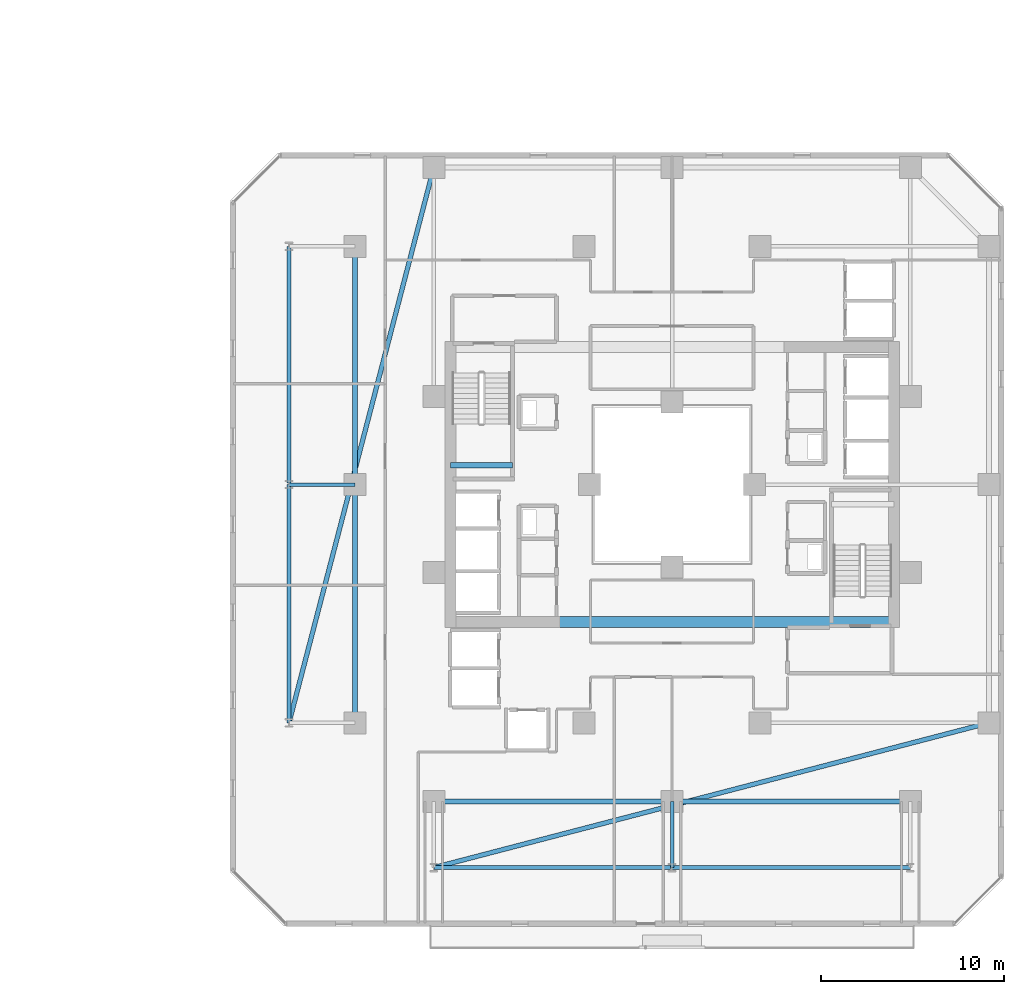
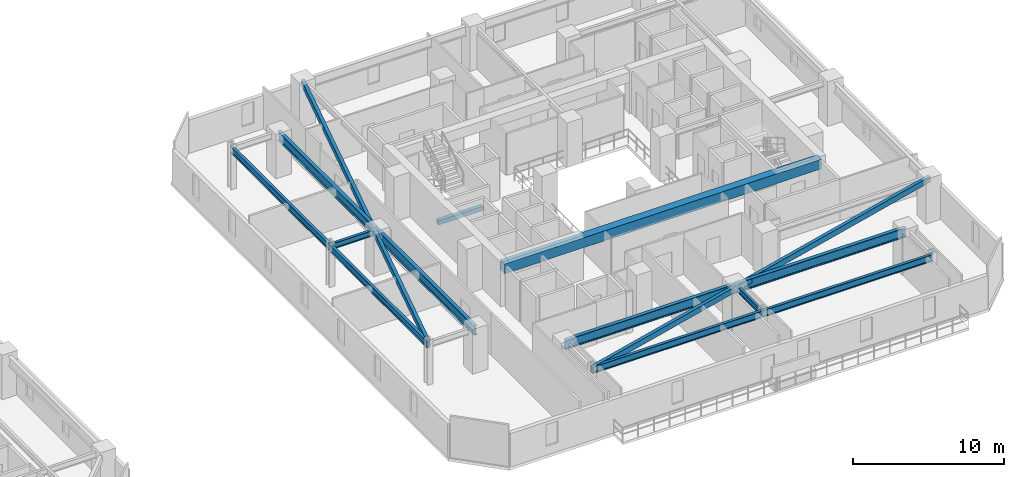
# One storey, part 12 of 33: 14 beams.
"""IFC4 building model written with IfcOpenShell, lengths in metres."""

from ifc_helpers import new_model, si_unit, direction, frame, origin, origin_2d, place, context, subcontext, project, spatial, rectangle, hollow_rectangle, i_section, extrude, material, material_profile, profile_set, type_object, element, save


model = new_model("IFC4")

# Units and contexts
model_context = context("Model", 3, precision=1e-05, world=origin(), true_north=direction((0.0, 1.0)))
body_context = subcontext(model_context, "Body", "Model", "MODEL_VIEW")
ifc_project = project(units=[si_unit("LENGTHUNIT", "METRE"), si_unit("AREAUNIT", "SQUARE_METRE"), si_unit("VOLUMEUNIT", "CUBIC_METRE"), si_unit("PLANEANGLEUNIT", "RADIAN"), si_unit("MASSUNIT", "GRAM", prefix="KILO")], contexts=[model_context])

# Site, building, storey
site_placement = place(None, origin())
site = spatial("IfcSite", under=ifc_project, at=site_placement, CompositionType="ELEMENT")
building_placement = place(site_placement, origin())
building = spatial("IfcBuilding", under=site, at=building_placement, Name="Thornwick Lancets Civic Towers", CompositionType="ELEMENT")
storey_placement = place(building_placement, frame((0.0, 0.0, 112.5)))
storey = spatial("IfcBuildingStorey", under=building, at=storey_placement, Name="L29", CompositionType="ELEMENT", Elevation=112.5)

# Beams
ifc_material_1 = material(Name="Concrete C60/75", Category="concrete")
ifc_material_profile_1 = material_profile(ifc_material_1, rectangle(XDim=0.60009765625, YDim=0.800048828125, at=origin_2d()), Name="RC 600x800")
ifc_profile_set_1 = profile_set([ifc_material_profile_1], Name="Concrete C60/75")
beam_type_1 = type_object("IfcBeamType", Name="BM_COUP_RC800", PredefinedType="BEAM", material=ifc_profile_set_1)
beam_1_placement = place(storey_placement, frame((76.39990234375, 19.5, 2.9599609375), z_axis=(1.0, 0.0, 0.0), x_axis=(0.0, 1.0, 0.0)))
element("IfcBeam", 1, at=beam_1_placement, inside=storey, type_object=beam_type_1, Name="CB-L29-B2", PredefinedType="BEAM", context=body_context, shape_type="SweptSolid", body=[
    extrude(rectangle(XDim=0.60009765625, YDim=0.800048828125, at=origin_2d()), origin(), (0.0, 0.0, 1.0), 24.2001953125),
])
ifc_material_2 = material(Name="Steel S355JR", Category="steel")
ifc_material_profile_2 = material_profile(ifc_material_2, i_section(OverallWidth=0.2119140625, OverallDepth=0.54443359375, WebThickness=0.0126953125, FlangeThickness=0.021240234375, FilletRadius=0.0126953125, at=origin_2d()), Name="UKB 533x210x122")
ifc_profile_set_2 = profile_set([ifc_material_profile_2], Name="Steel S355JR")
beam_type_2 = type_object("IfcBeamType", Name="BM_EDGE_533_122", PredefinedType="SPANDREL", material=ifc_profile_set_2)
beam_2_placement = place(storey_placement, frame((67.60009765625, 14.0, 3.087646484375), z_axis=(0.0, 1.0, 0.0), x_axis=(-1.0, 0.0, 0.0)))
element("IfcBeam", 2, at=beam_2_placement, inside=storey, type_object=beam_type_2, Name="BM-EDGE-L29-B-S2-1", PredefinedType="SPANDREL", context=body_context, shape_type="SweptSolid", body=[
    extrude(i_section(OverallWidth=0.2119140625, OverallDepth=0.54443359375, WebThickness=0.0126953125, FlangeThickness=0.021240234375, FilletRadius=0.0126953125, at=origin_2d()), origin(), (0.0, 0.0, 1.0), 13.0),
])
beam_3_placement = place(storey_placement, frame((67.60009765625, 27.080078125, 3.087646484375), z_axis=(0.0, 1.0, 0.0), x_axis=(-1.0, 0.0, 0.0)))
element("IfcBeam", 3, at=beam_3_placement, inside=storey, type_object=beam_type_2, Name="BM-EDGE-L29-B-S2-2", PredefinedType="SPANDREL", context=body_context, shape_type="SweptSolid", body=[
    extrude(i_section(OverallWidth=0.2119140625, OverallDepth=0.54443359375, WebThickness=0.0126953125, FlangeThickness=0.021240234375, FilletRadius=0.0126953125, at=origin_2d()), origin(), (0.0, 0.0, 1.0), 12.919921875),
])
beam_4_placement = place(storey_placement, frame((101.5, 6.10009765625, 3.087646484375), z_axis=(-1.0, 0.0, 0.0), x_axis=(0.0, -1.0, 0.0)))
element("IfcBeam", 4, at=beam_4_placement, inside=storey, type_object=beam_type_2, Name="BM-EDGE-L29-B-S3-1", PredefinedType="SPANDREL", context=body_context, shape_type="SweptSolid", body=[
    extrude(i_section(OverallWidth=0.2119140625, OverallDepth=0.54443359375, WebThickness=0.0126953125, FlangeThickness=0.021240234375, FilletRadius=0.0126953125, at=origin_2d()), origin(), (0.0, 0.0, 1.0), 13.0),
])
beam_5_placement = place(storey_placement, frame((88.419921875, 6.10009765625, 3.087646484375), z_axis=(-1.0, 0.0, 0.0), x_axis=(0.0, -1.0, 0.0)))
element("IfcBeam", 5, at=beam_5_placement, inside=storey, type_object=beam_type_2, Name="BM-EDGE-L29-B-S3-2", PredefinedType="SPANDREL", context=body_context, shape_type="SweptSolid", body=[
    extrude(i_section(OverallWidth=0.2119140625, OverallDepth=0.54443359375, WebThickness=0.0126953125, FlangeThickness=0.021240234375, FilletRadius=0.0126953125, at=origin_2d()), origin(), (0.0, 0.0, 1.0), 12.919921875),
])
ifc_material_profile_3 = material_profile(ifc_material_2, i_section(OverallWidth=0.26806640625, OverallDepth=0.769775390625, WebThickness=0.015625, FlangeThickness=0.025390625, FilletRadius=0.0166015625, at=origin_2d()), Name="UKB 762x267x197")
ifc_profile_set_3 = profile_set([ifc_material_profile_3], Name="Steel S355JR")
beam_type_3 = type_object("IfcBeamType", Name="BM_GIRD_762_197", PredefinedType="BEAM", material=ifc_profile_set_3)
beam_6_placement = place(storey_placement, frame((71.199951171875, 14.0, 2.97509765625), z_axis=(0.0, 1.0, 0.0), x_axis=(-1.0, 0.0, 0.0)))
element("IfcBeam", 6, at=beam_6_placement, inside=storey, type_object=beam_type_3, Name="BM-SPINE-L29-B-6-7", PredefinedType="BEAM", context=body_context, shape_type="SweptSolid", body=[
    extrude(i_section(OverallWidth=0.26806640625, OverallDepth=0.769775390625, WebThickness=0.015625, FlangeThickness=0.025390625, FilletRadius=0.0166015625, at=origin_2d()), origin(), (0.0, 0.0, 1.0), 13.0),
])
beam_7_placement = place(storey_placement, frame((71.199951171875, 27.080078125, 2.97509765625), z_axis=(0.0, 1.0, 0.0), x_axis=(-1.0, 0.0, 0.0)))
element("IfcBeam", 7, at=beam_7_placement, inside=storey, type_object=beam_type_3, Name="BM-SPINE-L29-B-7-8", PredefinedType="BEAM", context=body_context, shape_type="SweptSolid", body=[
    extrude(i_section(OverallWidth=0.26806640625, OverallDepth=0.769775390625, WebThickness=0.015625, FlangeThickness=0.025390625, FilletRadius=0.0166015625, at=origin_2d()), origin(), (0.0, 0.0, 1.0), 12.919921875),
])
beam_8_placement = place(storey_placement, frame((101.5, 9.699951171875, 2.97509765625), z_axis=(-1.0, 0.0, 0.0), x_axis=(0.0, -1.0, 0.0)))
element("IfcBeam", 8, at=beam_8_placement, inside=storey, type_object=beam_type_3, Name="BM-SPINE-L29-B-9-10", PredefinedType="BEAM", context=body_context, shape_type="SweptSolid", body=[
    extrude(i_section(OverallWidth=0.26806640625, OverallDepth=0.769775390625, WebThickness=0.015625, FlangeThickness=0.025390625, FilletRadius=0.0166015625, at=origin_2d()), origin(), (0.0, 0.0, 1.0), 13.0),
])
beam_9_placement = place(storey_placement, frame((88.419921875, 9.699951171875, 2.97509765625), z_axis=(-1.0, 0.0, 0.0), x_axis=(0.0, -1.0, 0.0)))
element("IfcBeam", 9, at=beam_9_placement, inside=storey, type_object=beam_type_3, Name="BM-SPINE-L29-B-10-11", PredefinedType="BEAM", context=body_context, shape_type="SweptSolid", body=[
    extrude(i_section(OverallWidth=0.26806640625, OverallDepth=0.769775390625, WebThickness=0.015625, FlangeThickness=0.025390625, FilletRadius=0.0166015625, at=origin_2d()), origin(), (0.0, 0.0, 1.0), 12.919921875),
])
ifc_material_profile_4 = material_profile(ifc_material_2, i_section(OverallWidth=0.19189453125, OverallDepth=0.46337890625, WebThickness=0.010498046875, FlangeThickness=0.017578125, FilletRadius=0.01025390625, at=origin_2d()), Name="UKB 457x191x89")
ifc_profile_set_4 = profile_set([ifc_material_profile_4], Name="Steel S355JR")
beam_type_4 = type_object("IfcBeamType", Name="BM_JOIST_457_89", PredefinedType="JOIST", material=ifc_profile_set_4)
for number, where, z_axis, x_axis, name in (
    (10, (71.199951171875, 27.0, 3.12841796875), (-1.0, 0.0, 0.0), (0.0, -1.0, 0.0), "BM-RAD-L29-B08"),
    (11, (88.5, 9.699951171875, 3.12841796875), (0.0, -1.0, 0.0), (1.0, 0.0, 0.0), "BM-RAD-L29-B11"),
):
    element("IfcBeam", number, at=place(storey_placement, frame(where, z_axis=z_axis, x_axis=x_axis)), inside=storey, type_object=beam_type_4, Name=name, PredefinedType="JOIST", context=body_context, shape_type="SweptSolid", body=[
        extrude(i_section(OverallWidth=0.19189453125, OverallDepth=0.46337890625, WebThickness=0.010498046875, FlangeThickness=0.017578125, FilletRadius=0.01025390625, at=origin_2d()), origin(), (0.0, 0.0, 1.0), 3.599853515625),
    ])
ifc_material_profile_5 = material_profile(ifc_material_2, hollow_rectangle(XDim=0.25, YDim=0.449951171875, WallThickness=0.01611328125, at=origin_2d()), Name="RHS 450x250x16")
ifc_profile_set_5 = profile_set([ifc_material_profile_5], Name="Steel S355JR")
beam_type_5 = type_object("IfcBeamType", Name="BM_RING_RHS450", PredefinedType="BEAM", material=ifc_profile_set_5)
for number, where, z_axis, x_axis, name in (
    (12, (75.5, 44.300048828125, 3.135009765625), (-0.252288590311, -0.967652038286, 0.0), (0.967652038286, -0.252288590311, 0.0), "BM-CHAMF-L29-B-C1"),
    (13, (75.5, 6.10009765625, 3.135009765625), (0.967652038286, 0.252288590311, 0.0), (-0.252288590311, 0.967652038286, 0.0), "BM-CHAMF-L29-B-C3"),
):
    element("IfcBeam", number, at=place(storey_placement, frame(where, z_axis=z_axis, x_axis=x_axis)), inside=storey, type_object=beam_type_5, Name=name, PredefinedType="BEAM", context=body_context, shape_type="SweptSolid", body=[
        extrude(hollow_rectangle(XDim=0.25, YDim=0.449951171875, WallThickness=0.01611328125, at=origin_2d()), origin(), (0.0, 0.0, 1.0), 31.31298828125),
    ])
ifc_material_3 = material(Name="Concrete C40/50", Category="concrete")
ifc_material_profile_6 = material_profile(ifc_material_3, rectangle(XDim=0.300048828125, YDim=0.35009765625, at=origin_2d()), Name="RC 300x350")
ifc_profile_set_6 = profile_set([ifc_material_profile_6], Name="Concrete C40/50")
beam_type_6 = type_object("IfcBeamType", Name="BM_STAIR_LDG", PredefinedType="BEAM", material=ifc_profile_set_6)
beam_10_placement = place(storey_placement, frame((76.39990234375, 28.06494140625, 1.3779296875), z_axis=(1.0, 0.0, 0.0), x_axis=(0.0, 1.0, 0.0)))
element("IfcBeam", 14, at=beam_10_placement, inside=storey, type_object=beam_type_6, Name="L29 ST-B2 Landing Support Beam 1", PredefinedType="BEAM", context=body_context, shape_type="SweptSolid", body=[
    extrude(rectangle(XDim=0.300048828125, YDim=0.35009765625, at=origin_2d()), origin(), (0.0, 0.0, 1.0), 3.400146484375),
])

save(model, "model.ifc")
